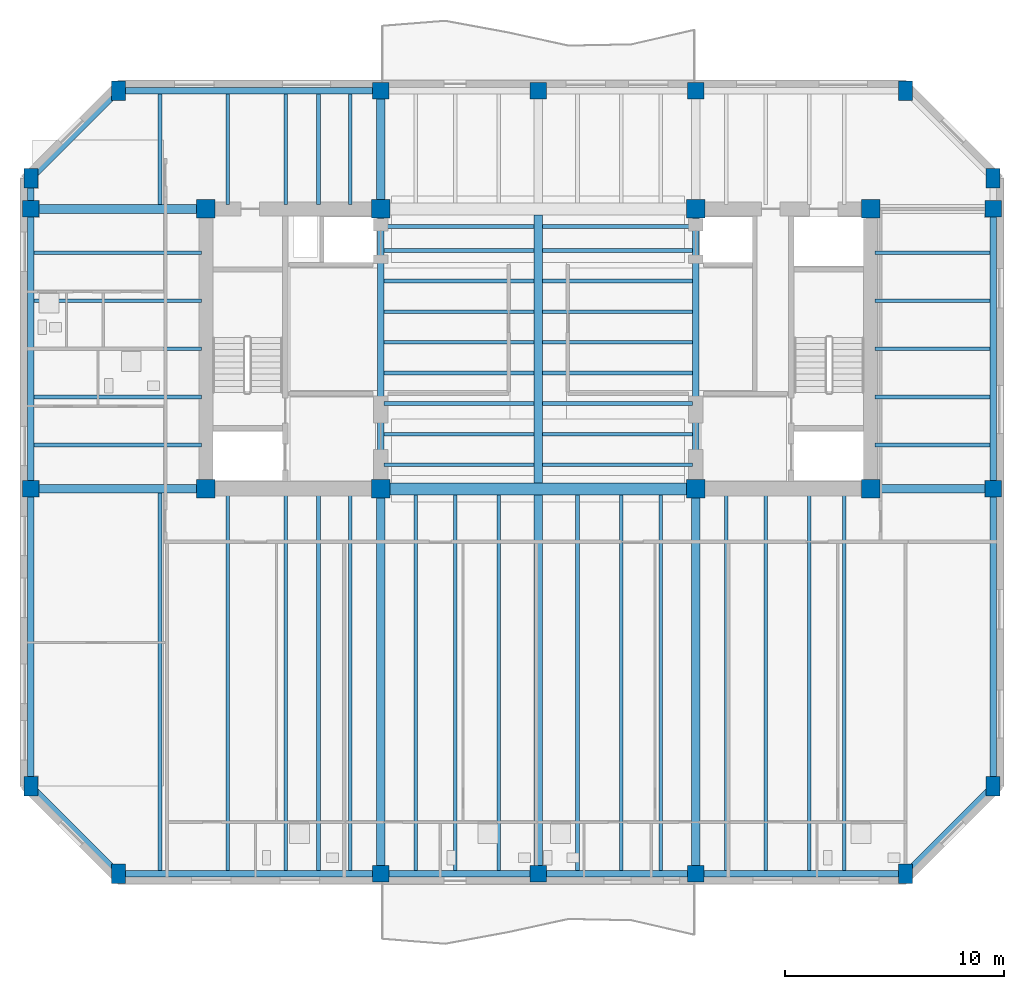
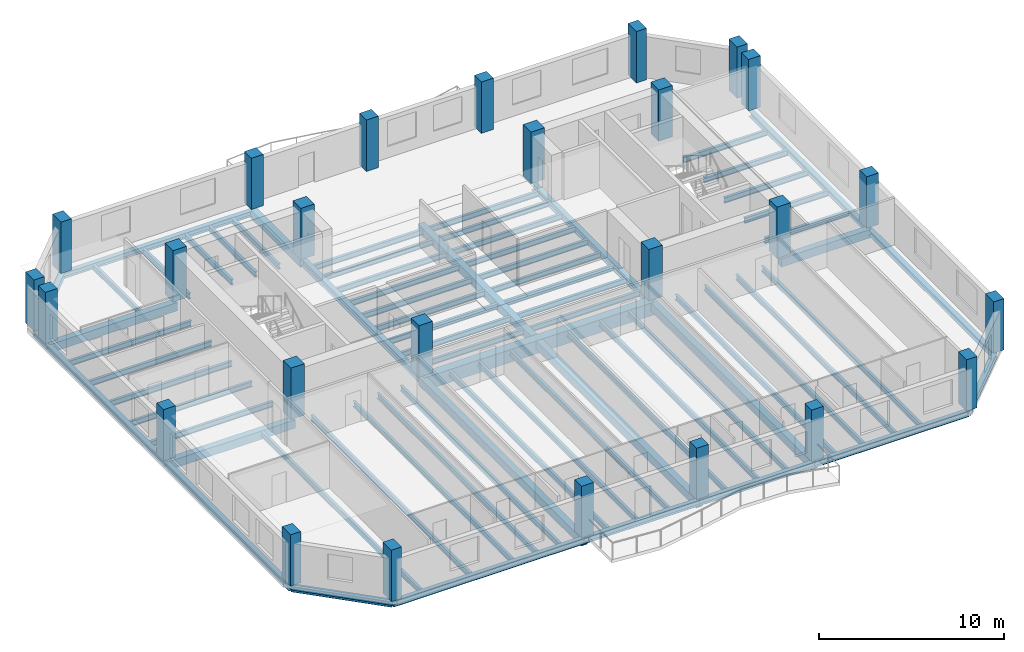
# One storey, part 1 of 11: 72 beams, 26 columns.
"""IFC4 building model written with IfcOpenShell, lengths in metres."""

from ifc_helpers import new_model, si_unit, direction, frame, origin, origin_2d, place, context, subcontext, project, spatial, rectangle, i_section, extrude, material, material_profile, profile_set, type_object, element, save


model = new_model("IFC4")

# Units and contexts
model_context = context("Model", 3, precision=1e-05, world=origin(), true_north=direction((0.0, 1.0)))
body_context = subcontext(model_context, "Body", "Model", "MODEL_VIEW")
ifc_project = project(units=[si_unit("LENGTHUNIT", "METRE"), si_unit("AREAUNIT", "SQUARE_METRE"), si_unit("VOLUMEUNIT", "CUBIC_METRE"), si_unit("PLANEANGLEUNIT", "RADIAN"), si_unit("MASSUNIT", "GRAM", prefix="KILO")], contexts=[model_context])

# Site, building, storey
site_placement = place(None, origin())
site = spatial("IfcSite", under=ifc_project, at=site_placement, CompositionType="ELEMENT")
building_placement = place(site_placement, origin())
building = spatial("IfcBuilding", under=site, at=building_placement, Name="Kranthara Brick Stack", CompositionType="ELEMENT")
storey_placement = place(building_placement, frame((0.0, 0.0, 217.699951171875)))
storey = spatial("IfcBuildingStorey", under=building, at=storey_placement, Name="L56", CompositionType="ELEMENT", Elevation=217.699951171875)

# Columns
ifc_material_1 = material(Name="Concrete C50/60", Category="concrete")
ifc_material_profile_1 = material_profile(ifc_material_1, rectangle(XDim=0.64990234375, YDim=0.89990234375, at=origin_2d()), Name="RC 650x900")
ifc_profile_set_1 = profile_set([ifc_material_profile_1], Name="Concrete C50/60")
column_type_1 = type_object("IfcColumnType", Name="COL-CHAM-650x900", PredefinedType="COLUMN", material=ifc_profile_set_1)
for number, where, z_axis, x_axis, name in (
    (1, (8.800048828125, 3.199951171875, 0.0), (0.0, 0.0, 1.0), (1.0, 0.0, 0.0), "L56 Column 09"),
    (2, (8.800048828125, 39.0, 0.0), (0.0, 0.0, 1.0), (1.0, 0.0, 0.0), "L56 Column 10"),
    (3, (44.800048828125, 3.199951171875, 0.0), (0.0, 0.0, 1.0), (1.0, 0.0, 0.0), "L56 Column 17"),
    (4, (44.800048828125, 39.0, 0.0), (0.0, 0.0, 1.0), (1.0, 0.0, 0.0), "L56 Column 18"),
    (5, (4.800048828125, 7.199951171875, 0.0), (0.0, 0.0, 1.0), (1.0, 0.0, 0.0), "L56 Column 19"),
    (6, (48.800048828125, 7.199951171875, 0.0), (0.0, 0.0, 1.0), (1.0, 0.0, 0.0), "L56 Column 20"),
    (7, (4.800048828125, 35.0, 0.0), (0.0, 0.0, 1.0), (1.0, 0.0, 0.0), "L56 Column 25"),
    (8, (48.800048828125, 35.0, 0.0), (0.0, 0.0, 1.0), (1.0, 0.0, 0.0), "L56 Column 26"),
):
    element("IfcColumn", number, at=place(storey_placement, frame(where, z_axis=z_axis, x_axis=x_axis)), inside=storey, type_object=column_type_1, Name=name, PredefinedType="COLUMN", context=body_context, shape_type="SweptSolid", body=[
        extrude(rectangle(XDim=0.64990234375, YDim=0.89990234375, at=origin_2d()), origin(), (0.0, 0.0, 1.0), 3.400146484375),
    ])
ifc_material_2 = material(Name="Concrete C50/60", Category="concrete")
ifc_material_profile_2 = material_profile(ifc_material_2, rectangle(XDim=0.85009765625, YDim=0.85009765625, at=origin_2d()), Name="RC 850x850")
ifc_profile_set_2 = profile_set([ifc_material_profile_2], Name="Concrete C50/60")
column_type_2 = type_object("IfcColumnType", Name="COL-CORE-850", PredefinedType="COLUMN", material=ifc_profile_set_2)
for number, where, z_axis, x_axis, name in (
    (9, (12.800048828125, 20.800048828125, 0.0), (0.0, 0.0, 1.0), (1.0, 0.0, 0.0), "L56 Column 01"),
    (10, (20.800048828125, 20.800048828125, 0.0), (0.0, 0.0, 1.0), (1.0, 0.0, 0.0), "L56 Column 02"),
    (11, (12.800048828125, 33.60009765625, 0.0), (0.0, 0.0, 1.0), (1.0, 0.0, 0.0), "L56 Column 03"),
    (12, (20.800048828125, 33.60009765625, 0.0), (0.0, 0.0, 1.0), (1.0, 0.0, 0.0), "L56 Column 04"),
    (13, (35.199951171875, 20.800048828125, 0.0), (0.0, 0.0, 1.0), (1.0, 0.0, 0.0), "L56 Column 05"),
    (14, (43.199951171875, 20.800048828125, 0.0), (0.0, 0.0, 1.0), (1.0, 0.0, 0.0), "L56 Column 06"),
    (15, (35.199951171875, 33.60009765625, 0.0), (0.0, 0.0, 1.0), (1.0, 0.0, 0.0), "L56 Column 07"),
    (16, (43.199951171875, 33.60009765625, 0.0), (0.0, 0.0, 1.0), (1.0, 0.0, 0.0), "L56 Column 08"),
):
    element("IfcColumn", number, at=place(storey_placement, frame(where, z_axis=z_axis, x_axis=x_axis)), inside=storey, type_object=column_type_2, Name=name, PredefinedType="COLUMN", context=body_context, shape_type="SweptSolid", body=[
        extrude(rectangle(XDim=0.85009765625, YDim=0.85009765625, at=origin_2d()), origin(), (0.0, 0.0, 1.0), 3.400146484375),
    ])
ifc_material_3 = material(Name="Concrete C50/60", Category="concrete")
ifc_material_profile_3 = material_profile(ifc_material_3, rectangle(XDim=0.75, YDim=0.75, at=origin_2d()), Name="RC 750x750")
ifc_profile_set_3 = profile_set([ifc_material_profile_3], Name="Concrete C50/60")
column_type_3 = type_object("IfcColumnType", Name="COL-PER-750", PredefinedType="COLUMN", material=ifc_profile_set_3)
for number, where, z_axis, x_axis, name in (
    (17, (20.800048828125, 3.199951171875, 0.0), (0.0, 0.0, 1.0), (1.0, 0.0, 0.0), "L56 Column 11"),
    (18, (20.800048828125, 39.0, 0.0), (0.0, 0.0, 1.0), (1.0, 0.0, 0.0), "L56 Column 12"),
    (19, (28.0, 3.199951171875, 0.0), (0.0, 0.0, 1.0), (1.0, 0.0, 0.0), "L56 Column 13"),
    (20, (28.0, 39.0, 0.0), (0.0, 0.0, 1.0), (1.0, 0.0, 0.0), "L56 Column 14"),
    (21, (35.199951171875, 3.199951171875, 0.0), (0.0, 0.0, 1.0), (1.0, 0.0, 0.0), "L56 Column 15"),
    (22, (35.199951171875, 39.0, 0.0), (0.0, 0.0, 1.0), (1.0, 0.0, 0.0), "L56 Column 16"),
    (23, (4.800048828125, 20.800048828125, 0.0), (0.0, 0.0, 1.0), (1.0, 0.0, 0.0), "L56 Column 21"),
    (24, (48.800048828125, 20.800048828125, 0.0), (0.0, 0.0, 1.0), (1.0, 0.0, 0.0), "L56 Column 22"),
    (25, (4.800048828125, 33.60009765625, 0.0), (0.0, 0.0, 1.0), (1.0, 0.0, 0.0), "L56 Column 23"),
    (26, (48.800048828125, 33.60009765625, 0.0), (0.0, 0.0, 1.0), (1.0, 0.0, 0.0), "L56 Column 24"),
):
    element("IfcColumn", number, at=place(storey_placement, frame(where, z_axis=z_axis, x_axis=x_axis)), inside=storey, type_object=column_type_3, Name=name, PredefinedType="COLUMN", context=body_context, shape_type="SweptSolid", body=[
        extrude(rectangle(XDim=0.75, YDim=0.75, at=origin_2d()), origin(), (0.0, 0.0, 1.0), 3.400146484375),
    ])

# Beams
ifc_material_4 = material(Name="Concrete C50/60", Category="concrete")
ifc_material_profile_4 = material_profile(ifc_material_4, rectangle(XDim=0.550048828125, YDim=0.85009765625, at=origin_2d()), Name="RC 550x850")
ifc_profile_set_4 = profile_set([ifc_material_profile_4], Name="Concrete C50/60")
beam_type_1 = type_object("IfcBeamType", Name="BM-CPL-RC850", PredefinedType="LINTEL", material=ifc_profile_set_4)
beam_1_placement = place(storey_placement, frame((20.800048828125, 20.800048828125, -0.724853515625), z_axis=(1.0, 0.0, 0.0), x_axis=(0.0, 1.0, 0.0)))
element("IfcBeam", 27, at=beam_1_placement, inside=storey, type_object=beam_type_1, Name="L56 Core Coupling Beam 001", PredefinedType="LINTEL", context=body_context, shape_type="SweptSolid", body=[
    extrude(rectangle(XDim=0.550048828125, YDim=0.85009765625, at=origin_2d()), origin(), (0.0, 0.0, 1.0), 14.39990234375),
])
ifc_material_5 = material(Name="Post-tensioned concrete C45/55", Category="concrete")
ifc_material_profile_5 = material_profile(ifc_material_5, rectangle(XDim=0.39990234375, YDim=0.550048828125, at=origin_2d()), Name="PT 400x550")
ifc_profile_set_5 = profile_set([ifc_material_profile_5], Name="Post-tensioned concrete C45/55")
beam_type_2 = type_object("IfcBeamType", Name="BM-FLR-PT550", PredefinedType="BEAM", material=ifc_profile_set_5)
beam_2_placement = place(storey_placement, frame((20.800048828125, 3.199951171875, -0.574951171875), z_axis=(0.0, 1.0, 0.0), x_axis=(-1.0, 0.0, 0.0)))
element("IfcBeam", 28, at=beam_2_placement, inside=storey, type_object=beam_type_2, Name="L56 Primary Grid Girder 023", PredefinedType="BEAM", context=body_context, shape_type="SweptSolid", body=[
    extrude(rectangle(XDim=0.39990234375, YDim=0.550048828125, at=origin_2d()), origin(), (0.0, 0.0, 1.0), 17.60009765625),
])
beam_3_placement = place(storey_placement, frame((20.800048828125, 33.60009765625, -0.574951171875), z_axis=(0.0, 1.0, 0.0), x_axis=(-1.0, 0.0, 0.0)))
element("IfcBeam", 29, at=beam_3_placement, inside=storey, type_object=beam_type_2, Name="L56 Primary Grid Girder 024", PredefinedType="BEAM", context=body_context, shape_type="SweptSolid", body=[
    extrude(rectangle(XDim=0.39990234375, YDim=0.550048828125, at=origin_2d()), origin(), (0.0, 0.0, 1.0), 5.39990234375),
])
beam_4_placement = place(storey_placement, frame((28.0, 3.199951171875, -0.574951171875), z_axis=(0.0, 1.0, 0.0), x_axis=(-1.0, 0.0, 0.0)))
element("IfcBeam", 30, at=beam_4_placement, inside=storey, type_object=beam_type_2, Name="L56 Primary Grid Girder 025", PredefinedType="BEAM", context=body_context, shape_type="SweptSolid", body=[
    extrude(rectangle(XDim=0.39990234375, YDim=0.550048828125, at=origin_2d()), origin(), (0.0, 0.0, 1.0), 17.324951171875),
])
beam_5_placement = place(storey_placement, frame((28.0, 21.074951171875, -0.574951171875), z_axis=(0.0, 1.0, 0.0), x_axis=(-1.0, 0.0, 0.0)))
element("IfcBeam", 31, at=beam_5_placement, inside=storey, type_object=beam_type_2, Name="L56 Central Spine Girder 026", PredefinedType="BEAM", context=body_context, shape_type="SweptSolid", body=[
    extrude(rectangle(XDim=0.39990234375, YDim=0.550048828125, at=origin_2d()), origin(), (0.0, 0.0, 1.0), 12.25),
])
beam_6_placement = place(storey_placement, frame((35.199951171875, 3.199951171875, -0.574951171875), z_axis=(0.0, 1.0, 0.0), x_axis=(-1.0, 0.0, 0.0)))
element("IfcBeam", 32, at=beam_6_placement, inside=storey, type_object=beam_type_2, Name="L56 Primary Grid Girder 028", PredefinedType="BEAM", context=body_context, shape_type="SweptSolid", body=[
    extrude(rectangle(XDim=0.39990234375, YDim=0.550048828125, at=origin_2d()), origin(), (0.0, 0.0, 1.0), 17.60009765625),
])
beam_7_placement = place(storey_placement, frame((4.800048828125, 20.800048828125, -0.574951171875), z_axis=(1.0, 0.0, 0.0), x_axis=(0.0, 1.0, 0.0)))
element("IfcBeam", 33, at=beam_7_placement, inside=storey, type_object=beam_type_2, Name="L56 Primary Grid Girder 030", PredefinedType="BEAM", context=body_context, shape_type="SweptSolid", body=[
    extrude(rectangle(XDim=0.39990234375, YDim=0.550048828125, at=origin_2d()), origin(), (0.0, 0.0, 1.0), 8.0),
])
beam_8_placement = place(storey_placement, frame((43.199951171875, 20.800048828125, -0.574951171875), z_axis=(1.0, 0.0, 0.0), x_axis=(0.0, 1.0, 0.0)))
element("IfcBeam", 34, at=beam_8_placement, inside=storey, type_object=beam_type_2, Name="L56 Primary Grid Girder 031", PredefinedType="BEAM", context=body_context, shape_type="SweptSolid", body=[
    extrude(rectangle(XDim=0.39990234375, YDim=0.550048828125, at=origin_2d()), origin(), (0.0, 0.0, 1.0), 5.60009765625),
])
beam_9_placement = place(storey_placement, frame((4.800048828125, 33.60009765625, -0.574951171875), z_axis=(1.0, 0.0, 0.0), x_axis=(0.0, 1.0, 0.0)))
element("IfcBeam", 35, at=beam_9_placement, inside=storey, type_object=beam_type_2, Name="L56 Primary Grid Girder 032", PredefinedType="BEAM", context=body_context, shape_type="SweptSolid", body=[
    extrude(rectangle(XDim=0.39990234375, YDim=0.550048828125, at=origin_2d()), origin(), (0.0, 0.0, 1.0), 8.0),
])
ifc_material_6 = material(Name="Steel S355", Category="steel")
ifc_material_profile_6 = material_profile(ifc_material_6, i_section(OverallWidth=0.169921875, OverallDepth=0.360107421875, WebThickness=0.008056640625, FlangeThickness=0.0126953125, at=origin_2d()), Name="IPE 360")
ifc_profile_set_6 = profile_set([ifc_material_profile_6], Name="Steel S355")
beam_type_3 = type_object("IfcBeamType", Name="BM-JST-IPE360", PredefinedType="JOIST", material=ifc_profile_set_6)
for number, where, z_axis, x_axis, name in (
    (36, (20.949951171875, 21.89990234375, -0.47998046875), (1.0, 0.0, 0.0), (0.0, 1.0, 0.0), "L56 Central Floor Joist 034"),
    (37, (28.199951171875, 21.89990234375, -0.47998046875), (1.0, 0.0, 0.0), (0.0, 1.0, 0.0), "L56 Central Floor Joist 035"),
    (38, (20.949951171875, 23.300048828125, -0.47998046875), (1.0, 0.0, 0.0), (0.0, 1.0, 0.0), "L56 Central Floor Joist 036"),
    (39, (28.199951171875, 23.300048828125, -0.47998046875), (1.0, 0.0, 0.0), (0.0, 1.0, 0.0), "L56 Central Floor Joist 037"),
    (40, (20.949951171875, 24.699951171875, -0.47998046875), (1.0, 0.0, 0.0), (0.0, 1.0, 0.0), "L56 Central Floor Joist 038"),
    (41, (28.199951171875, 24.699951171875, -0.47998046875), (1.0, 0.0, 0.0), (0.0, 1.0, 0.0), "L56 Central Floor Joist 039"),
    (42, (20.949951171875, 26.10009765625, -0.47998046875), (1.0, 0.0, 0.0), (0.0, 1.0, 0.0), "L56 Central Floor Joist 040"),
    (43, (28.199951171875, 26.10009765625, -0.47998046875), (1.0, 0.0, 0.0), (0.0, 1.0, 0.0), "L56 Central Floor Joist 041"),
    (44, (20.949951171875, 27.5, -0.47998046875), (1.0, 0.0, 0.0), (0.0, 1.0, 0.0), "L56 Central Floor Joist 042"),
    (45, (28.199951171875, 27.5, -0.47998046875), (1.0, 0.0, 0.0), (0.0, 1.0, 0.0), "L56 Central Floor Joist 043"),
    (46, (20.949951171875, 28.89990234375, -0.47998046875), (1.0, 0.0, 0.0), (0.0, 1.0, 0.0), "L56 Central Floor Joist 044"),
    (47, (28.199951171875, 28.89990234375, -0.47998046875), (1.0, 0.0, 0.0), (0.0, 1.0, 0.0), "L56 Central Floor Joist 045"),
    (48, (20.949951171875, 30.300048828125, -0.47998046875), (1.0, 0.0, 0.0), (0.0, 1.0, 0.0), "L56 Central Floor Joist 046"),
    (49, (28.199951171875, 30.300048828125, -0.47998046875), (1.0, 0.0, 0.0), (0.0, 1.0, 0.0), "L56 Central Floor Joist 047"),
    (50, (20.949951171875, 31.699951171875, -0.47998046875), (1.0, 0.0, 0.0), (0.0, 1.0, 0.0), "L56 Central Floor Joist 048"),
    (51, (28.199951171875, 31.699951171875, -0.47998046875), (1.0, 0.0, 0.0), (0.0, 1.0, 0.0), "L56 Central Floor Joist 049"),
    (52, (20.949951171875, 32.800048828125, -0.47998046875), (1.0, 0.0, 0.0), (0.0, 1.0, 0.0), "L56 Central Floor Joist 050"),
    (53, (28.199951171875, 32.800048828125, -0.47998046875), (1.0, 0.0, 0.0), (0.0, 1.0, 0.0), "L56 Central Floor Joist 051"),
):
    element("IfcBeam", number, at=place(storey_placement, frame(where, z_axis=z_axis, x_axis=x_axis)), inside=storey, type_object=beam_type_3, Name=name, PredefinedType="JOIST", context=body_context, shape_type="SweptSolid", body=[
        extrude(i_section(OverallWidth=0.169921875, OverallDepth=0.360107421875, WebThickness=0.008056640625, FlangeThickness=0.0126953125, at=origin_2d()), origin(), (0.0, 0.0, 1.0), 6.85009765625),
    ])
beam_10_placement = place(storey_placement, frame((10.699951171875, 3.35009765625, -0.47998046875), z_axis=(0.0, 1.0, 0.0), x_axis=(-1.0, 0.0, 0.0)))
element("IfcBeam", 54, at=beam_10_placement, inside=storey, type_object=beam_type_3, Name="L56 South Wing Floor Joist 052", PredefinedType="JOIST", context=body_context, shape_type="SweptSolid", body=[
    extrude(i_section(OverallWidth=0.169921875, OverallDepth=0.360107421875, WebThickness=0.008056640625, FlangeThickness=0.0126953125, at=origin_2d()), origin(), (0.0, 0.0, 1.0), 17.25),
])
beam_11_placement = place(storey_placement, frame((10.699951171875, 33.800048828125, -0.47998046875), z_axis=(0.0, 1.0, 0.0), x_axis=(-1.0, 0.0, 0.0)))
element("IfcBeam", 55, at=beam_11_placement, inside=storey, type_object=beam_type_3, Name="L56 North Wing Floor Joist 053", PredefinedType="JOIST", context=body_context, shape_type="SweptSolid", body=[
    extrude(i_section(OverallWidth=0.169921875, OverallDepth=0.360107421875, WebThickness=0.008056640625, FlangeThickness=0.0126953125, at=origin_2d()), origin(), (0.0, 0.0, 1.0), 5.050048828125),
])
beam_12_placement = place(storey_placement, frame((13.800048828125, 3.35009765625, -0.47998046875), z_axis=(0.0, 1.0, 0.0), x_axis=(-1.0, 0.0, 0.0)))
element("IfcBeam", 56, at=beam_12_placement, inside=storey, type_object=beam_type_3, Name="L56 South Wing Floor Joist 054", PredefinedType="JOIST", context=body_context, shape_type="SweptSolid", body=[
    extrude(i_section(OverallWidth=0.169921875, OverallDepth=0.360107421875, WebThickness=0.008056640625, FlangeThickness=0.0126953125, at=origin_2d()), origin(), (0.0, 0.0, 1.0), 17.25),
])
beam_13_placement = place(storey_placement, frame((13.800048828125, 33.800048828125, -0.47998046875), z_axis=(0.0, 1.0, 0.0), x_axis=(-1.0, 0.0, 0.0)))
element("IfcBeam", 57, at=beam_13_placement, inside=storey, type_object=beam_type_3, Name="L56 North Wing Floor Joist 055", PredefinedType="JOIST", context=body_context, shape_type="SweptSolid", body=[
    extrude(i_section(OverallWidth=0.169921875, OverallDepth=0.360107421875, WebThickness=0.008056640625, FlangeThickness=0.0126953125, at=origin_2d()), origin(), (0.0, 0.0, 1.0), 5.050048828125),
])
beam_14_placement = place(storey_placement, frame((16.449951171875, 3.35009765625, -0.47998046875), z_axis=(0.0, 1.0, 0.0), x_axis=(-1.0, 0.0, 0.0)))
element("IfcBeam", 58, at=beam_14_placement, inside=storey, type_object=beam_type_3, Name="L56 South Wing Floor Joist 056", PredefinedType="JOIST", context=body_context, shape_type="SweptSolid", body=[
    extrude(i_section(OverallWidth=0.169921875, OverallDepth=0.360107421875, WebThickness=0.008056640625, FlangeThickness=0.0126953125, at=origin_2d()), origin(), (0.0, 0.0, 1.0), 17.25),
])
beam_15_placement = place(storey_placement, frame((16.449951171875, 33.800048828125, -0.47998046875), z_axis=(0.0, 1.0, 0.0), x_axis=(-1.0, 0.0, 0.0)))
element("IfcBeam", 59, at=beam_15_placement, inside=storey, type_object=beam_type_3, Name="L56 North Wing Floor Joist 057", PredefinedType="JOIST", context=body_context, shape_type="SweptSolid", body=[
    extrude(i_section(OverallWidth=0.169921875, OverallDepth=0.360107421875, WebThickness=0.008056640625, FlangeThickness=0.0126953125, at=origin_2d()), origin(), (0.0, 0.0, 1.0), 5.050048828125),
])
beam_16_placement = place(storey_placement, frame((17.949951171875, 3.35009765625, -0.47998046875), z_axis=(0.0, 1.0, 0.0), x_axis=(-1.0, 0.0, 0.0)))
element("IfcBeam", 60, at=beam_16_placement, inside=storey, type_object=beam_type_3, Name="L56 South Wing Floor Joist 058", PredefinedType="JOIST", context=body_context, shape_type="SweptSolid", body=[
    extrude(i_section(OverallWidth=0.169921875, OverallDepth=0.360107421875, WebThickness=0.008056640625, FlangeThickness=0.0126953125, at=origin_2d()), origin(), (0.0, 0.0, 1.0), 17.25),
])
beam_17_placement = place(storey_placement, frame((17.949951171875, 33.800048828125, -0.47998046875), z_axis=(0.0, 1.0, 0.0), x_axis=(-1.0, 0.0, 0.0)))
element("IfcBeam", 61, at=beam_17_placement, inside=storey, type_object=beam_type_3, Name="L56 North Wing Floor Joist 059", PredefinedType="JOIST", context=body_context, shape_type="SweptSolid", body=[
    extrude(i_section(OverallWidth=0.169921875, OverallDepth=0.360107421875, WebThickness=0.008056640625, FlangeThickness=0.0126953125, at=origin_2d()), origin(), (0.0, 0.0, 1.0), 5.050048828125),
])
beam_18_placement = place(storey_placement, frame((19.39990234375, 3.35009765625, -0.47998046875), z_axis=(0.0, 1.0, 0.0), x_axis=(-1.0, 0.0, 0.0)))
element("IfcBeam", 62, at=beam_18_placement, inside=storey, type_object=beam_type_3, Name="L56 South Wing Floor Joist 060", PredefinedType="JOIST", context=body_context, shape_type="SweptSolid", body=[
    extrude(i_section(OverallWidth=0.169921875, OverallDepth=0.360107421875, WebThickness=0.008056640625, FlangeThickness=0.0126953125, at=origin_2d()), origin(), (0.0, 0.0, 1.0), 17.25),
])
beam_19_placement = place(storey_placement, frame((19.39990234375, 33.800048828125, -0.47998046875), z_axis=(0.0, 1.0, 0.0), x_axis=(-1.0, 0.0, 0.0)))
element("IfcBeam", 63, at=beam_19_placement, inside=storey, type_object=beam_type_3, Name="L56 North Wing Floor Joist 061", PredefinedType="JOIST", context=body_context, shape_type="SweptSolid", body=[
    extrude(i_section(OverallWidth=0.169921875, OverallDepth=0.360107421875, WebThickness=0.008056640625, FlangeThickness=0.0126953125, at=origin_2d()), origin(), (0.0, 0.0, 1.0), 5.050048828125),
])
for number, where, z_axis, x_axis, name in (
    (64, (22.39990234375, 3.35009765625, -0.47998046875), (0.0, 1.0, 0.0), (-1.0, 0.0, 0.0), "L56 South Wing Floor Joist 062"),
    (65, (24.199951171875, 3.35009765625, -0.47998046875), (0.0, 1.0, 0.0), (-1.0, 0.0, 0.0), "L56 South Wing Floor Joist 064"),
    (66, (26.199951171875, 3.35009765625, -0.47998046875), (0.0, 1.0, 0.0), (-1.0, 0.0, 0.0), "L56 South Wing Floor Joist 066"),
    (67, (29.800048828125, 3.35009765625, -0.47998046875), (0.0, 1.0, 0.0), (-1.0, 0.0, 0.0), "L56 South Wing Floor Joist 068"),
    (68, (31.800048828125, 3.35009765625, -0.47998046875), (0.0, 1.0, 0.0), (-1.0, 0.0, 0.0), "L56 South Wing Floor Joist 070"),
    (69, (33.60009765625, 3.35009765625, -0.47998046875), (0.0, 1.0, 0.0), (-1.0, 0.0, 0.0), "L56 South Wing Floor Joist 072"),
):
    element("IfcBeam", number, at=place(storey_placement, frame(where, z_axis=z_axis, x_axis=x_axis)), inside=storey, type_object=beam_type_3, Name=name, PredefinedType="JOIST", context=body_context, shape_type="SweptSolid", body=[
        extrude(i_section(OverallWidth=0.169921875, OverallDepth=0.360107421875, WebThickness=0.008056640625, FlangeThickness=0.0126953125, at=origin_2d()), origin(), (0.0, 0.0, 1.0), 17.1748046875),
    ])
for number, where, z_axis, x_axis, name in (
    (70, (36.60009765625, 3.35009765625, -0.47998046875), (0.0, 1.0, 0.0), (-1.0, 0.0, 0.0), "L56 South Wing Floor Joist 074"),
    (71, (38.39990234375, 3.35009765625, -0.47998046875), (0.0, 1.0, 0.0), (-1.0, 0.0, 0.0), "L56 South Wing Floor Joist 076"),
    (72, (40.39990234375, 3.35009765625, -0.47998046875), (0.0, 1.0, 0.0), (-1.0, 0.0, 0.0), "L56 South Wing Floor Joist 078"),
    (73, (42.0, 3.35009765625, -0.47998046875), (0.0, 1.0, 0.0), (-1.0, 0.0, 0.0), "L56 South Wing Floor Joist 080"),
):
    element("IfcBeam", number, at=place(storey_placement, frame(where, z_axis=z_axis, x_axis=x_axis)), inside=storey, type_object=beam_type_3, Name=name, PredefinedType="JOIST", context=body_context, shape_type="SweptSolid", body=[
        extrude(i_section(OverallWidth=0.169921875, OverallDepth=0.360107421875, WebThickness=0.008056640625, FlangeThickness=0.0126953125, at=origin_2d()), origin(), (0.0, 0.0, 1.0), 17.25),
    ])
beam_20_placement = place(storey_placement, frame((4.949951171875, 22.800048828125, -0.47998046875), z_axis=(1.0, 0.0, 0.0), x_axis=(0.0, 1.0, 0.0)))
element("IfcBeam", 74, at=beam_20_placement, inside=storey, type_object=beam_type_3, Name="L56 West Wing Floor Joist 082", PredefinedType="JOIST", context=body_context, shape_type="SweptSolid", body=[
    extrude(i_section(OverallWidth=0.169921875, OverallDepth=0.360107421875, WebThickness=0.008056640625, FlangeThickness=0.0126953125, at=origin_2d()), origin(), (0.0, 0.0, 1.0), 7.650146484375),
])
beam_21_placement = place(storey_placement, frame((43.39990234375, 22.800048828125, -0.47998046875), z_axis=(1.0, 0.0, 0.0), x_axis=(0.0, 1.0, 0.0)))
element("IfcBeam", 75, at=beam_21_placement, inside=storey, type_object=beam_type_3, Name="L56 East Wing Floor Joist 083", PredefinedType="JOIST", context=body_context, shape_type="SweptSolid", body=[
    extrude(i_section(OverallWidth=0.169921875, OverallDepth=0.360107421875, WebThickness=0.008056640625, FlangeThickness=0.0126953125, at=origin_2d()), origin(), (0.0, 0.0, 1.0), 5.25),
])
beam_22_placement = place(storey_placement, frame((4.949951171875, 25.0, -0.47998046875), z_axis=(1.0, 0.0, 0.0), x_axis=(0.0, 1.0, 0.0)))
element("IfcBeam", 76, at=beam_22_placement, inside=storey, type_object=beam_type_3, Name="L56 West Wing Floor Joist 084", PredefinedType="JOIST", context=body_context, shape_type="SweptSolid", body=[
    extrude(i_section(OverallWidth=0.169921875, OverallDepth=0.360107421875, WebThickness=0.008056640625, FlangeThickness=0.0126953125, at=origin_2d()), origin(), (0.0, 0.0, 1.0), 7.650146484375),
])
beam_23_placement = place(storey_placement, frame((43.39990234375, 25.0, -0.47998046875), z_axis=(1.0, 0.0, 0.0), x_axis=(0.0, 1.0, 0.0)))
element("IfcBeam", 77, at=beam_23_placement, inside=storey, type_object=beam_type_3, Name="L56 East Wing Floor Joist 085", PredefinedType="JOIST", context=body_context, shape_type="SweptSolid", body=[
    extrude(i_section(OverallWidth=0.169921875, OverallDepth=0.360107421875, WebThickness=0.008056640625, FlangeThickness=0.0126953125, at=origin_2d()), origin(), (0.0, 0.0, 1.0), 5.25),
])
beam_24_placement = place(storey_placement, frame((4.949951171875, 27.199951171875, -0.47998046875), z_axis=(1.0, 0.0, 0.0), x_axis=(0.0, 1.0, 0.0)))
element("IfcBeam", 78, at=beam_24_placement, inside=storey, type_object=beam_type_3, Name="L56 West Wing Floor Joist 086", PredefinedType="JOIST", context=body_context, shape_type="SweptSolid", body=[
    extrude(i_section(OverallWidth=0.169921875, OverallDepth=0.360107421875, WebThickness=0.008056640625, FlangeThickness=0.0126953125, at=origin_2d()), origin(), (0.0, 0.0, 1.0), 7.650146484375),
])
beam_25_placement = place(storey_placement, frame((43.39990234375, 27.199951171875, -0.47998046875), z_axis=(1.0, 0.0, 0.0), x_axis=(0.0, 1.0, 0.0)))
element("IfcBeam", 79, at=beam_25_placement, inside=storey, type_object=beam_type_3, Name="L56 East Wing Floor Joist 087", PredefinedType="JOIST", context=body_context, shape_type="SweptSolid", body=[
    extrude(i_section(OverallWidth=0.169921875, OverallDepth=0.360107421875, WebThickness=0.008056640625, FlangeThickness=0.0126953125, at=origin_2d()), origin(), (0.0, 0.0, 1.0), 5.25),
])
beam_26_placement = place(storey_placement, frame((4.949951171875, 29.39990234375, -0.47998046875), z_axis=(1.0, 0.0, 0.0), x_axis=(0.0, 1.0, 0.0)))
element("IfcBeam", 80, at=beam_26_placement, inside=storey, type_object=beam_type_3, Name="L56 West Wing Floor Joist 088", PredefinedType="JOIST", context=body_context, shape_type="SweptSolid", body=[
    extrude(i_section(OverallWidth=0.169921875, OverallDepth=0.360107421875, WebThickness=0.008056640625, FlangeThickness=0.0126953125, at=origin_2d()), origin(), (0.0, 0.0, 1.0), 7.650146484375),
])
beam_27_placement = place(storey_placement, frame((43.39990234375, 29.39990234375, -0.47998046875), z_axis=(1.0, 0.0, 0.0), x_axis=(0.0, 1.0, 0.0)))
element("IfcBeam", 81, at=beam_27_placement, inside=storey, type_object=beam_type_3, Name="L56 East Wing Floor Joist 089", PredefinedType="JOIST", context=body_context, shape_type="SweptSolid", body=[
    extrude(i_section(OverallWidth=0.169921875, OverallDepth=0.360107421875, WebThickness=0.008056640625, FlangeThickness=0.0126953125, at=origin_2d()), origin(), (0.0, 0.0, 1.0), 5.25),
])
beam_28_placement = place(storey_placement, frame((4.949951171875, 31.60009765625, -0.47998046875), z_axis=(1.0, 0.0, 0.0), x_axis=(0.0, 1.0, 0.0)))
element("IfcBeam", 82, at=beam_28_placement, inside=storey, type_object=beam_type_3, Name="L56 West Wing Floor Joist 090", PredefinedType="JOIST", context=body_context, shape_type="SweptSolid", body=[
    extrude(i_section(OverallWidth=0.169921875, OverallDepth=0.360107421875, WebThickness=0.008056640625, FlangeThickness=0.0126953125, at=origin_2d()), origin(), (0.0, 0.0, 1.0), 7.650146484375),
])
beam_29_placement = place(storey_placement, frame((43.39990234375, 31.60009765625, -0.47998046875), z_axis=(1.0, 0.0, 0.0), x_axis=(0.0, 1.0, 0.0)))
element("IfcBeam", 83, at=beam_29_placement, inside=storey, type_object=beam_type_3, Name="L56 East Wing Floor Joist 091", PredefinedType="JOIST", context=body_context, shape_type="SweptSolid", body=[
    extrude(i_section(OverallWidth=0.169921875, OverallDepth=0.360107421875, WebThickness=0.008056640625, FlangeThickness=0.0126953125, at=origin_2d()), origin(), (0.0, 0.0, 1.0), 5.25),
])
ifc_material_7 = material(Name="Steel S355", Category="steel")
ifc_material_profile_7 = material_profile(ifc_material_7, i_section(OverallWidth=0.300048828125, OverallDepth=0.360107421875, WebThickness=0.012451171875, FlangeThickness=0.0224609375, at=origin_2d()), Name="HEB 360")
ifc_profile_set_7 = profile_set([ifc_material_profile_7], Name="Steel S355")
beam_type_4 = type_object("IfcBeamType", Name="BM-STL-HEB360", PredefinedType="SPANDREL", material=ifc_profile_set_7)
beam_30_placement = place(storey_placement, frame((8.800048828125, 3.199951171875, -0.47998046875), z_axis=(1.0, 0.0, 0.0), x_axis=(0.0, 1.0, 0.0)))
element("IfcBeam", 84, at=beam_30_placement, inside=storey, type_object=beam_type_4, Name="L56 Perimeter Spandrel Beam 005", PredefinedType="SPANDREL", context=body_context, shape_type="SweptSolid", body=[
    extrude(i_section(OverallWidth=0.300048828125, OverallDepth=0.360107421875, WebThickness=0.012451171875, FlangeThickness=0.0224609375, at=origin_2d()), origin(), (0.0, 0.0, 1.0), 12.0),
])
for number, where, z_axis, x_axis, name in (
    (85, (20.800048828125, 3.199951171875, -0.47998046875), (1.0, 0.0, 0.0), (0.0, 1.0, 0.0), "L56 Perimeter Spandrel Beam 006"),
    (86, (28.0, 3.199951171875, -0.47998046875), (1.0, 0.0, 0.0), (0.0, 1.0, 0.0), "L56 Perimeter Spandrel Beam 007"),
):
    element("IfcBeam", number, at=place(storey_placement, frame(where, z_axis=z_axis, x_axis=x_axis)), inside=storey, type_object=beam_type_4, Name=name, PredefinedType="SPANDREL", context=body_context, shape_type="SweptSolid", body=[
        extrude(i_section(OverallWidth=0.300048828125, OverallDepth=0.360107421875, WebThickness=0.012451171875, FlangeThickness=0.0224609375, at=origin_2d()), origin(), (0.0, 0.0, 1.0), 7.199951171875),
    ])
beam_31_placement = place(storey_placement, frame((35.199951171875, 3.199951171875, -0.47998046875), z_axis=(1.0, 0.0, 0.0), x_axis=(0.0, 1.0, 0.0)))
element("IfcBeam", 87, at=beam_31_placement, inside=storey, type_object=beam_type_4, Name="L56 Perimeter Spandrel Beam 008", PredefinedType="SPANDREL", context=body_context, shape_type="SweptSolid", body=[
    extrude(i_section(OverallWidth=0.300048828125, OverallDepth=0.360107421875, WebThickness=0.012451171875, FlangeThickness=0.0224609375, at=origin_2d()), origin(), (0.0, 0.0, 1.0), 9.60009765625),
])
beam_32_placement = place(storey_placement, frame((8.800048828125, 39.0, -0.47998046875), z_axis=(1.0, 0.0, 0.0), x_axis=(0.0, 1.0, 0.0)))
element("IfcBeam", 88, at=beam_32_placement, inside=storey, type_object=beam_type_4, Name="L56 Perimeter Spandrel Beam 009", PredefinedType="SPANDREL", context=body_context, shape_type="SweptSolid", body=[
    extrude(i_section(OverallWidth=0.300048828125, OverallDepth=0.360107421875, WebThickness=0.012451171875, FlangeThickness=0.0224609375, at=origin_2d()), origin(), (0.0, 0.0, 1.0), 12.0),
])
beam_33_placement = place(storey_placement, frame((4.800048828125, 7.199951171875, -0.47998046875), z_axis=(0.0, 1.0, 0.0), x_axis=(-1.0, 0.0, 0.0)))
element("IfcBeam", 89, at=beam_33_placement, inside=storey, type_object=beam_type_4, Name="L56 Perimeter Spandrel Beam 013", PredefinedType="SPANDREL", context=body_context, shape_type="SweptSolid", body=[
    extrude(i_section(OverallWidth=0.300048828125, OverallDepth=0.360107421875, WebThickness=0.012451171875, FlangeThickness=0.0224609375, at=origin_2d()), origin(), (0.0, 0.0, 1.0), 13.60009765625),
])
beam_34_placement = place(storey_placement, frame((4.800048828125, 20.800048828125, -0.47998046875), z_axis=(0.0, 1.0, 0.0), x_axis=(-1.0, 0.0, 0.0)))
element("IfcBeam", 90, at=beam_34_placement, inside=storey, type_object=beam_type_4, Name="L56 Perimeter Spandrel Beam 014", PredefinedType="SPANDREL", context=body_context, shape_type="SweptSolid", body=[
    extrude(i_section(OverallWidth=0.300048828125, OverallDepth=0.360107421875, WebThickness=0.012451171875, FlangeThickness=0.0224609375, at=origin_2d()), origin(), (0.0, 0.0, 1.0), 12.800048828125),
])
beam_35_placement = place(storey_placement, frame((4.800048828125, 33.60009765625, -0.47998046875), z_axis=(0.0, 1.0, 0.0), x_axis=(-1.0, 0.0, 0.0)))
element("IfcBeam", 91, at=beam_35_placement, inside=storey, type_object=beam_type_4, Name="L56 Perimeter Spandrel Beam 015", PredefinedType="SPANDREL", context=body_context, shape_type="SweptSolid", body=[
    extrude(i_section(OverallWidth=0.300048828125, OverallDepth=0.360107421875, WebThickness=0.012451171875, FlangeThickness=0.0224609375, at=origin_2d()), origin(), (0.0, 0.0, 1.0), 1.39990234375),
])
beam_36_placement = place(storey_placement, frame((48.800048828125, 7.199951171875, -0.47998046875), z_axis=(0.0, 1.0, 0.0), x_axis=(-1.0, 0.0, 0.0)))
element("IfcBeam", 92, at=beam_36_placement, inside=storey, type_object=beam_type_4, Name="L56 Perimeter Spandrel Beam 016", PredefinedType="SPANDREL", context=body_context, shape_type="SweptSolid", body=[
    extrude(i_section(OverallWidth=0.300048828125, OverallDepth=0.360107421875, WebThickness=0.012451171875, FlangeThickness=0.0224609375, at=origin_2d()), origin(), (0.0, 0.0, 1.0), 13.60009765625),
])
beam_37_placement = place(storey_placement, frame((48.800048828125, 20.800048828125, -0.47998046875), z_axis=(0.0, 1.0, 0.0), x_axis=(-1.0, 0.0, 0.0)))
element("IfcBeam", 93, at=beam_37_placement, inside=storey, type_object=beam_type_4, Name="L56 Perimeter Spandrel Beam 017", PredefinedType="SPANDREL", context=body_context, shape_type="SweptSolid", body=[
    extrude(i_section(OverallWidth=0.300048828125, OverallDepth=0.360107421875, WebThickness=0.012451171875, FlangeThickness=0.0224609375, at=origin_2d()), origin(), (0.0, 0.0, 1.0), 12.800048828125),
])
for number, where, z_axis, x_axis, name in (
    (94, (8.800048828125, 3.199951171875, -0.47998046875), (-0.707106781187, 0.707106781187, 0.0), (-0.707106781187, -0.707106781187, 0.0), "L56 Chamfer Corner Spandrel 019"),
    (95, (44.800048828125, 3.199951171875, -0.47998046875), (0.707106781187, 0.707106781187, 0.0), (-0.707106781187, 0.707106781187, 0.0), "L56 Chamfer Corner Spandrel 020"),
    (96, (8.800048828125, 39.0, -0.47998046875), (-0.707106781187, -0.707106781187, 0.0), (0.707106781187, -0.707106781187, 0.0), "L56 Chamfer Corner Spandrel 021"),
):
    element("IfcBeam", number, at=place(storey_placement, frame(where, z_axis=z_axis, x_axis=x_axis)), inside=storey, type_object=beam_type_4, Name=name, PredefinedType="SPANDREL", context=body_context, shape_type="SweptSolid", body=[
        extrude(i_section(OverallWidth=0.300048828125, OverallDepth=0.360107421875, WebThickness=0.012451171875, FlangeThickness=0.0224609375, at=origin_2d()), origin(), (0.0, 0.0, 1.0), 5.65673828125),
    ])
ifc_material_8 = material(Name="Steel S355", Category="steel")
ifc_material_profile_8 = material_profile(ifc_material_8, i_section(OverallWidth=0.300048828125, OverallDepth=0.449951171875, WebThickness=0.013916015625, FlangeThickness=0.02587890625, at=origin_2d()), Name="HEB 450")
ifc_profile_set_8 = profile_set([ifc_material_profile_8], Name="Steel S355")
beam_type_5 = type_object("IfcBeamType", Name="BM-STL-HEB450", PredefinedType="SPANDREL", material=ifc_profile_set_8)
for number, where, z_axis, x_axis, name in (
    (97, (20.800048828125, 20.800048828125, -0.52490234375), (0.0, 1.0, 0.0), (-1.0, 0.0, 0.0), "L56 Core Edge Tie Beam 003"),
    (98, (35.199951171875, 20.800048828125, -0.52490234375), (0.0, 1.0, 0.0), (-1.0, 0.0, 0.0), "L56 Core Edge Tie Beam 004"),
):
    element("IfcBeam", number, at=place(storey_placement, frame(where, z_axis=z_axis, x_axis=x_axis)), inside=storey, type_object=beam_type_5, Name=name, PredefinedType="SPANDREL", context=body_context, shape_type="SweptSolid", body=[
        extrude(i_section(OverallWidth=0.300048828125, OverallDepth=0.449951171875, WebThickness=0.013916015625, FlangeThickness=0.02587890625, at=origin_2d()), origin(), (0.0, 0.0, 1.0), 12.800048828125),
    ])

save(model, "model.ifc")
